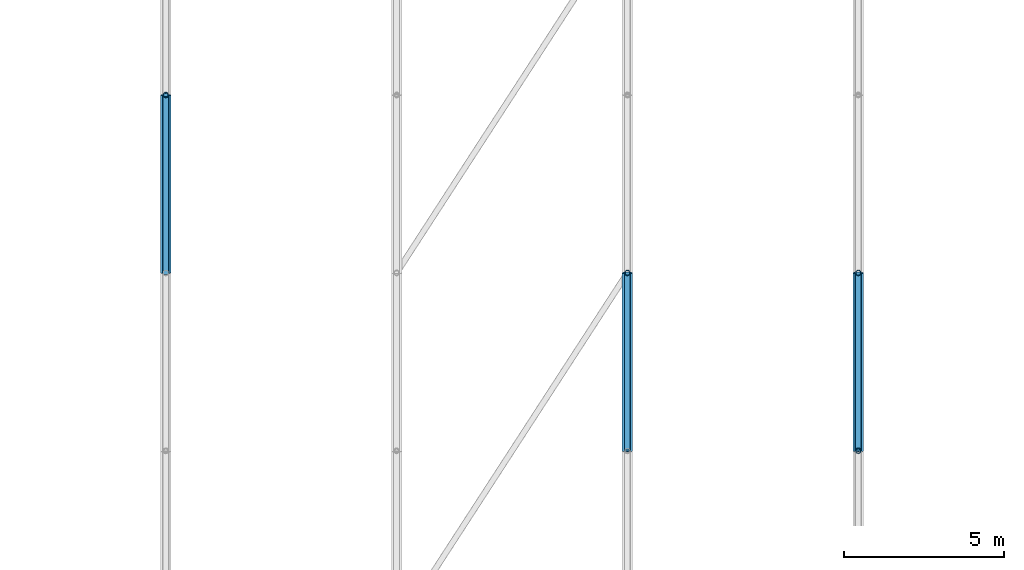
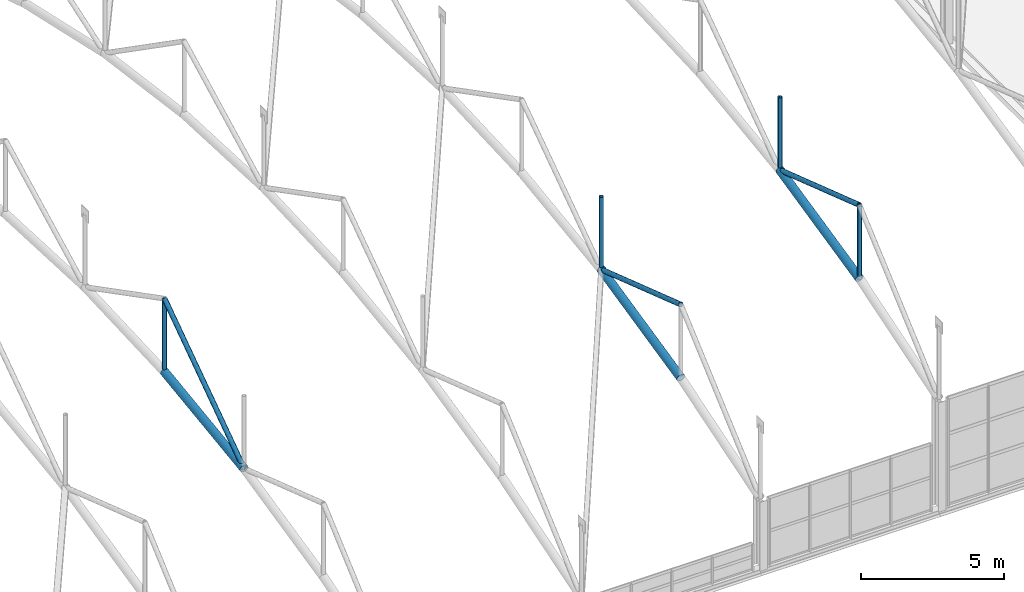
# One storey, part 42 of 153: 10 members.
"""IFC4 building model written with IfcOpenShell, lengths in metres."""

from ifc_helpers import new_model, si_unit, derived_unit, direction, frame, origin, origin_2d, place, context, subcontext, project, spatial, hollow_circle, extrude, material, material_profile, profile_set, type_object, element, save


model = new_model("IFC4")

# Units and contexts
model_context = context("Model", 3, precision=1e-05, world=origin(), true_north=direction((0.0, 1.0)))
body_context = subcontext(model_context, "Body", "Model", "MODEL_VIEW")
ifc_project = project(units=[si_unit("LENGTHUNIT", "METRE"), si_unit("AREAUNIT", "SQUARE_METRE"), si_unit("VOLUMEUNIT", "CUBIC_METRE"), si_unit("PLANEANGLEUNIT", "RADIAN"), si_unit("MASSUNIT", "GRAM", prefix="KILO"), derived_unit("THERMALTRANSMITTANCEUNIT", [(si_unit("POWERUNIT", "WATT"), 1), (si_unit("LENGTHUNIT", "METRE"), -2), (si_unit("THERMODYNAMICTEMPERATUREUNIT", "KELVIN"), -1)])], contexts=[model_context])

# Site, building, storey
site_placement = place(None, origin())
site = spatial("IfcSite", under=ifc_project, at=site_placement, CompositionType="ELEMENT")
building_placement = place(site_placement, origin())
building = spatial("IfcBuilding", under=site, at=building_placement, Name="Keldorne Ridge Multi-Sports Centre", CompositionType="ELEMENT")
storey_placement = place(building_placement, frame((0.0, 0.0, 9.60009765625)))
storey = spatial("IfcBuildingStorey", under=building, at=storey_placement, Name="L02", CompositionType="ELEMENT", Elevation=9.60009765625)

# Members
ifc_material = material(Name="Steel S355", Category="steel")
ifc_material_profile_1 = material_profile(ifc_material, hollow_circle(Radius=0.161865234375, WallThickness=0.01611328125, at=origin_2d()), Name="CHS 323.9x16")
ifc_profile_set_1 = profile_set([ifc_material_profile_1], Name="Steel S355")
member_type_1 = type_object("IfcMemberType", Name="MEM-TC-02", PredefinedType="CHORD", material=ifc_profile_set_1)
member_1_placement = place(storey_placement, frame((42.0, 20.699951171875, 2.5), z_axis=(0.0, 0.990992586768, 0.13391673895), x_axis=(-1.0, 0.0, 0.0)))
element("IfcMember", 1, at=member_1_placement, inside=storey, type_object=member_type_1, Name="Main Hall ROOF TRUSS AT-06 bottom chord 3", PredefinedType="CHORD", context=body_context, shape_type="SweptSolid", body=[
    extrude(hollow_circle(Radius=0.161865234375, WallThickness=0.01611328125, at=origin_2d()), origin(), (0.0, 0.0, 1.0), 5.6005859375),
])
for number, where, z_axis, x_axis, name in (
    (2, (56.39990234375, 15.14990234375, 4.68994140625), (0.0, 0.975563092904, 0.219719484259), (-1.0, 0.0, 0.0), "Main Hall ROOF TRUSS AT-08 bottom chord 2"),
    (3, (63.60009765625, 15.14990234375, 6.409912109375), (0.0, 0.975563092904, 0.219719484259), (-1.0, 0.0, 0.0), "Main Hall ROOF TRUSS AT-09 bottom chord 2"),
):
    element("IfcMember", number, at=place(storey_placement, frame(where, z_axis=z_axis, x_axis=x_axis)), inside=storey, type_object=member_type_1, Name=name, PredefinedType="CHORD", context=body_context, shape_type="SweptSolid", body=[
        extrude(hollow_circle(Radius=0.161865234375, WallThickness=0.01611328125, at=origin_2d()), origin(), (0.0, 0.0, 1.0), 5.68896484375),
    ])
ifc_material_profile_2 = material_profile(ifc_material, hollow_circle(Radius=0.096923828125, WallThickness=0.010009765625, at=origin_2d()), Name="CHS 193.7x10")
ifc_profile_set_2 = profile_set([ifc_material_profile_2], Name="Steel S355")
member_type_2 = type_object("IfcMemberType", Name="MEM-TD-01", PredefinedType="BRACE", material=ifc_profile_set_2)
member_2_placement = place(storey_placement, frame((42.0, 20.699951171875, 2.5), z_axis=(0.0, 0.820283254334, 0.571957500746), x_axis=(-1.0, 0.0, 0.0)))
element("IfcMember", 4, at=member_2_placement, inside=storey, type_object=member_type_2, Name="Main Hall ROOF TRUSS AT-06 diagonal 3", PredefinedType="BRACE", context=body_context, shape_type="SweptSolid", body=[
    extrude(hollow_circle(Radius=0.096923828125, WallThickness=0.010009765625, at=origin_2d()), origin(), (0.0, 0.0, 1.0), 6.76611328125),
])
for number, where, z_axis, x_axis, name in (
    (5, (56.39990234375, 15.14990234375, 7.809814453125), (0.0, 0.947661237718, -0.319277588514), (-1.0, 0.0, 0.0), "Main Hall ROOF TRUSS AT-08 diagonal 2"),
    (6, (63.60009765625, 15.14990234375, 9.52978515625), (0.0, 0.947661237718, -0.319277588514), (-1.0, 0.0, 0.0), "Main Hall ROOF TRUSS AT-09 diagonal 2"),
):
    element("IfcMember", number, at=place(storey_placement, frame(where, z_axis=z_axis, x_axis=x_axis)), inside=storey, type_object=member_type_2, Name=name, PredefinedType="BRACE", context=body_context, shape_type="SweptSolid", body=[
        extrude(hollow_circle(Radius=0.096923828125, WallThickness=0.010009765625, at=origin_2d()), origin(), (0.0, 0.0, 1.0), 5.856689453125),
    ])
ifc_material_profile_3 = material_profile(ifc_material, hollow_circle(Radius=0.084228515625, WallThickness=0.010009765625, at=origin_2d()), Name="CHS 168.3x10")
ifc_profile_set_3 = profile_set([ifc_material_profile_3], Name="Steel S355")
member_type_3 = type_object("IfcMemberType", Name="MEM-TV-01", PredefinedType="STRUT", material=ifc_profile_set_3)
for number, where, z_axis, x_axis, name in (
    (7, (42.0, 26.25, 3.25), (0.0, 0.0, 1.0), (1.0, 0.0, 0.0), "Main Hall ROOF TRUSS AT-06 vertical 4"),
    (8, (56.39990234375, 20.699951171875, 5.93994140625), (0.0, 0.0, 1.0), (1.0, 0.0, 0.0), "Main Hall ROOF TRUSS AT-08 vertical 3"),
    (9, (63.60009765625, 15.14990234375, 6.409912109375), (0.0, 0.0, 1.0), (1.0, 0.0, 0.0), "Main Hall ROOF TRUSS AT-09 vertical 2"),
    (10, (63.60009765625, 20.699951171875, 7.659912109375), (0.0, 0.0, 1.0), (1.0, 0.0, 0.0), "Main Hall ROOF TRUSS AT-09 vertical 3"),
):
    element("IfcMember", number, at=place(storey_placement, frame(where, z_axis=z_axis, x_axis=x_axis)), inside=storey, type_object=member_type_3, Name=name, PredefinedType="STRUT", context=body_context, shape_type="SweptSolid", body=[
        extrude(hollow_circle(Radius=0.084228515625, WallThickness=0.010009765625, at=origin_2d()), origin(), (0.0, 0.0, 1.0), 3.119873046875),
    ])

save(model, "model.ifc")
